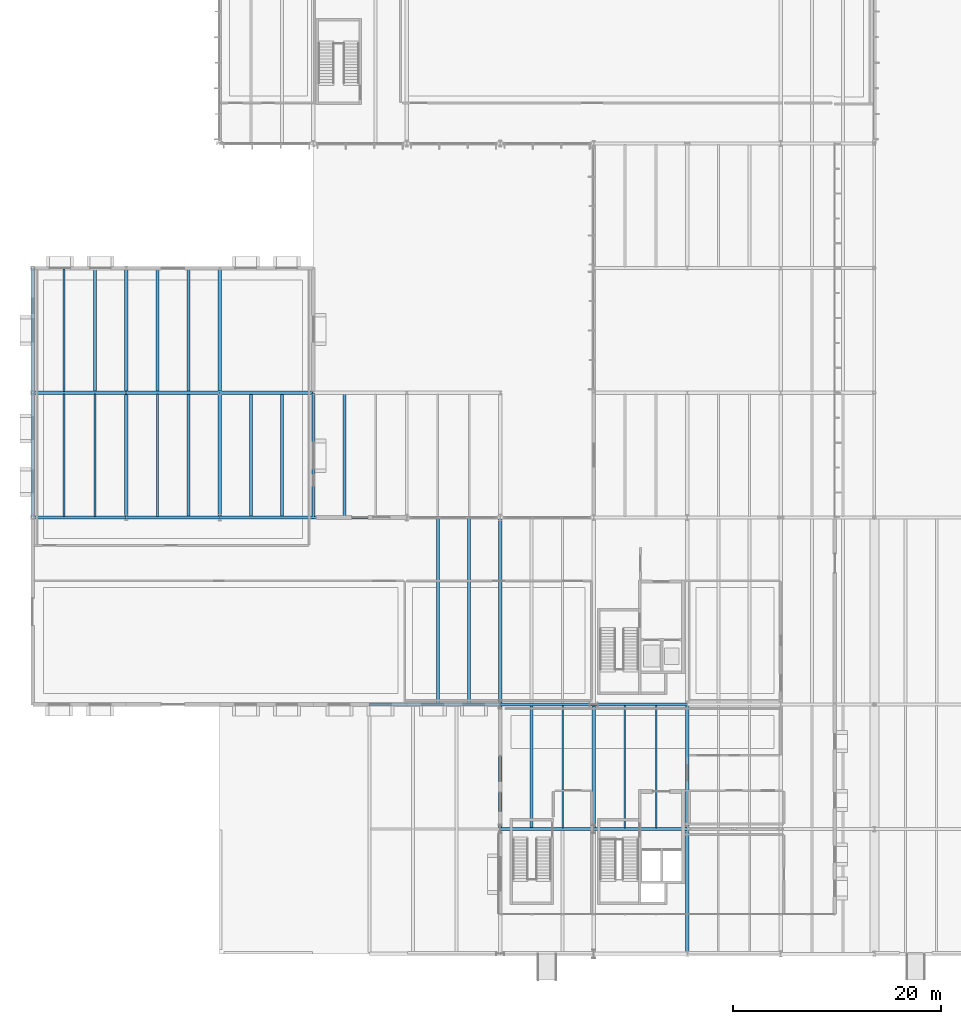
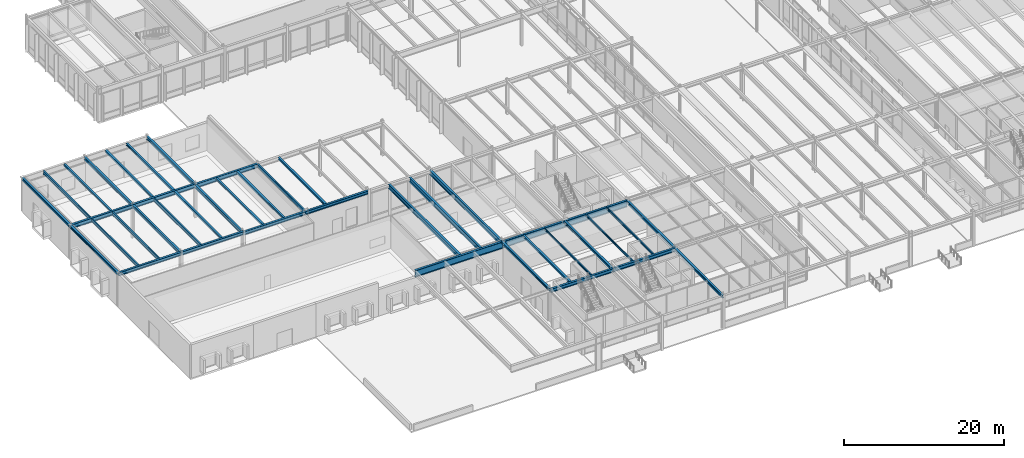
# One storey, part 24 of 143: 41 beams.
"""IFC4 building model written with IfcOpenShell, lengths in metres."""

from ifc_helpers import new_model, si_unit, direction, frame, origin, origin_2d, place, context, subcontext, project, spatial, i_section, extrude, material, material_profile, profile_set, type_object, element, save


model = new_model("IFC4")

# Units and contexts
model_context = context("Model", 3, precision=1e-05, world=origin(), true_north=direction((0.0, 1.0)))
body_context = subcontext(model_context, "Body", "Model", "MODEL_VIEW")
ifc_project = project(units=[si_unit("LENGTHUNIT", "METRE"), si_unit("AREAUNIT", "SQUARE_METRE"), si_unit("VOLUMEUNIT", "CUBIC_METRE"), si_unit("PLANEANGLEUNIT", "RADIAN"), si_unit("MASSUNIT", "GRAM", prefix="KILO")], contexts=[model_context])

# Site, building, storey
site_placement = place(None, origin())
site = spatial("IfcSite", under=ifc_project, at=site_placement, CompositionType="ELEMENT")
building_placement = place(site_placement, origin())
building = spatial("IfcBuilding", under=site, at=building_placement, Name="Montelvaro Courts of Justice", CompositionType="ELEMENT")
storey_placement = place(building_placement, origin())
storey = spatial("IfcBuildingStorey", under=building, at=storey_placement, Name="L00", CompositionType="ELEMENT", Elevation=0.0)

# Beams
ifc_material = material(Name="Steel S355", Category="steel")
ifc_material_profile_1 = material_profile(ifc_material, i_section(OverallWidth=0.280029296875, OverallDepth=0.27001953125, WebThickness=0.008056640625, FlangeThickness=0.012939453125, at=origin_2d()), Name="HEA 280")
ifc_profile_set_1 = profile_set([ifc_material_profile_1], Name="Steel S355")
beam_type_1 = type_object("IfcBeamType", Name="Beam_HEA280", PredefinedType="BEAM", material=ifc_profile_set_1)
for number, where, z_axis, x_axis, name in (
    (1, (6.0, 54.110107421875, 5.014892578125), (0.0, 1.0, 0.0), (-1.0, 0.0, 0.0), "Beam B-14 L00"),
    (2, (15.0, 42.110107421875, 5.014892578125), (0.0, 1.0, 0.0), (-1.0, 0.0, 0.0), "Beam B-14 L00"),
    (3, (12.0, 54.110107421875, 5.014892578125), (0.0, 1.0, 0.0), (-1.0, 0.0, 0.0), "Beam B-14 L00"),
    (4, (21.0, 42.110107421875, 4.925048828125), (0.0, 1.0, 0.0), (-1.0, 0.0, 0.0), "Beam B-14 L00"),
):
    element("IfcBeam", number, at=place(storey_placement, frame(where, z_axis=z_axis, x_axis=x_axis)), inside=storey, type_object=beam_type_1, Name=name, PredefinedType="BEAM", context=body_context, shape_type="SweptSolid", body=[
        extrude(i_section(OverallWidth=0.280029296875, OverallDepth=0.27001953125, WebThickness=0.008056640625, FlangeThickness=0.012939453125, at=origin_2d()), origin(), (0.0, 0.0, 1.0), 11.77978515625),
    ])
ifc_material_profile_2 = material_profile(ifc_material, i_section(OverallWidth=0.300048828125, OverallDepth=0.31005859375, WebThickness=0.009033203125, FlangeThickness=0.015380859375, at=origin_2d()), Name="HEA 320")
ifc_profile_set_2 = profile_set([ifc_material_profile_2], Name="Steel S355")
beam_type_2 = type_object("IfcBeamType", Name="Beam_HEA320", PredefinedType="BEAM", material=ifc_profile_set_2)
for number, where, z_axis, x_axis, name in (
    (5, (15.0, 54.110107421875, 4.9951171875), (0.0, 1.0, 0.0), (-1.0, 0.0, 0.0), "Beam B-15 L00"),
    (6, (24.0, 42.110107421875, 4.905029296875), (0.0, 1.0, 0.0), (-1.0, 0.0, 0.0), "Beam B-15 L00"),
    (7, (30.0, 42.110107421875, 4.905029296875), (0.0, 1.0, 0.0), (-1.0, 0.0, 0.0), "Beam B-15 L00"),
    (8, (48.0, 12.110107421875, 4.925048828125), (0.0, 1.0, 0.0), (-1.0, 0.0, 0.0), "Beam B-15 L00"),
):
    element("IfcBeam", number, at=place(storey_placement, frame(where, z_axis=z_axis, x_axis=x_axis)), inside=storey, type_object=beam_type_2, Name=name, PredefinedType="BEAM", context=body_context, shape_type="SweptSolid", body=[
        extrude(i_section(OverallWidth=0.300048828125, OverallDepth=0.31005859375, WebThickness=0.009033203125, FlangeThickness=0.015380859375, at=origin_2d()), origin(), (0.0, 0.0, 1.0), 11.77978515625),
    ])
ifc_material_profile_3 = material_profile(ifc_material, i_section(OverallWidth=0.300048828125, OverallDepth=0.35009765625, WebThickness=0.010009765625, FlangeThickness=0.017578125, at=origin_2d()), Name="HEA 360")
ifc_profile_set_3 = profile_set([ifc_material_profile_3], Name="Steel S355")
beam_type_3 = type_object("IfcBeamType", Name="Beam_HEA360", PredefinedType="USERDEFINED", material=ifc_profile_set_3)
beam_1_placement = place(storey_placement, frame((45.0, 12.0, 4.905029296875), z_axis=(0.0, 1.0, 0.0), x_axis=(-1.0, 0.0, 0.0)))
element("IfcBeam", 9, at=beam_1_placement, inside=storey, type_object=beam_type_3, Name="Beam B-16 L00", ObjectType="GIRDER", PredefinedType="USERDEFINED", context=body_context, shape_type="SweptSolid", body=[
    extrude(i_section(OverallWidth=0.300048828125, OverallDepth=0.35009765625, WebThickness=0.010009765625, FlangeThickness=0.017578125, at=origin_2d()), origin(), (0.0, 0.0, 1.0), 12.0),
])
ifc_material_profile_4 = material_profile(ifc_material, i_section(OverallWidth=0.300048828125, OverallDepth=0.389892578125, WebThickness=0.010986328125, FlangeThickness=0.01904296875, at=origin_2d()), Name="HEA 400")
ifc_profile_set_4 = profile_set([ifc_material_profile_4], Name="Steel S355")
beam_type_4 = type_object("IfcBeamType", Name="Beam_HEA400", PredefinedType="USERDEFINED", material=ifc_profile_set_4)
for number, where, z_axis, x_axis, name in (
    (10, (0.0, 42.0, 4.955078125), (0.0, 1.0, 0.0), (-1.0, 0.0, 0.0), "Beam B-17 L00"),
    (11, (0.0, 54.0, 4.955078125), (0.0, 1.0, 0.0), (-1.0, 0.0, 0.0), "Beam B-17 L00"),
    (12, (54.0, 12.0, 4.885009765625), (0.0, 1.0, 0.0), (-1.0, 0.0, 0.0), "Beam B-17 L00"),
):
    element("IfcBeam", number, at=place(storey_placement, frame(where, z_axis=z_axis, x_axis=x_axis)), inside=storey, type_object=beam_type_4, Name=name, ObjectType="GIRDER", PredefinedType="USERDEFINED", context=body_context, shape_type="SweptSolid", body=[
        extrude(i_section(OverallWidth=0.300048828125, OverallDepth=0.389892578125, WebThickness=0.010986328125, FlangeThickness=0.01904296875, at=origin_2d()), origin(), (0.0, 0.0, 1.0), 12.0),
    ])
ifc_material_profile_5 = material_profile(ifc_material, i_section(OverallWidth=0.300048828125, OverallDepth=0.43994140625, WebThickness=0.011474609375, FlangeThickness=0.02099609375, at=origin_2d()), Name="HEA 450")
ifc_profile_set_5 = profile_set([ifc_material_profile_5], Name="Steel S355")
beam_type_5 = type_object("IfcBeamType", Name="Beam_HEA450", PredefinedType="USERDEFINED", material=ifc_profile_set_5)
for number, where, z_axis, x_axis, name in (
    (13, (9.0, 42.0, 4.929931640625), (0.0, 1.0, 0.0), (-1.0, 0.0, 0.0), "Beam B-18 L00"),
    (14, (9.0, 54.0, 4.929931640625), (0.0, 1.0, 0.0), (-1.0, 0.0, 0.0), "Beam B-18 L00"),
    (15, (63.0, 0.0, 4.860107421875), (0.0, 1.0, 0.0), (-1.0, 0.0, 0.0), "Beam B-18 L00"),
    (16, (63.0, 12.0, 4.860107421875), (0.0, 1.0, 0.0), (-1.0, 0.0, 0.0), "Beam B-18 L00"),
):
    element("IfcBeam", number, at=place(storey_placement, frame(where, z_axis=z_axis, x_axis=x_axis)), inside=storey, type_object=beam_type_5, Name=name, ObjectType="GIRDER", PredefinedType="USERDEFINED", context=body_context, shape_type="SweptSolid", body=[
        extrude(i_section(OverallWidth=0.300048828125, OverallDepth=0.43994140625, WebThickness=0.011474609375, FlangeThickness=0.02099609375, at=origin_2d()), origin(), (0.0, 0.0, 1.0), 12.0),
    ])
ifc_material_profile_6 = material_profile(ifc_material, i_section(OverallWidth=0.300048828125, OverallDepth=0.489990234375, WebThickness=0.011962890625, FlangeThickness=0.02294921875, at=origin_2d()), Name="HEA 500")
ifc_profile_set_6 = profile_set([ifc_material_profile_6], Name="Steel S355")
beam_type_6 = type_object("IfcBeamType", Name="Beam_HEA500", PredefinedType="USERDEFINED", material=ifc_profile_set_6)
for number, where, z_axis, x_axis, name in (
    (17, (18.0, 42.0, 4.81494140625), (0.0, 1.0, 0.0), (-1.0, 0.0, 0.0), "Beam B-19 L00"),
    (18, (18.0, 54.0, 4.905029296875), (0.0, 1.0, 0.0), (-1.0, 0.0, 0.0), "Beam B-19 L00"),
):
    element("IfcBeam", number, at=place(storey_placement, frame(where, z_axis=z_axis, x_axis=x_axis)), inside=storey, type_object=beam_type_6, Name=name, ObjectType="GIRDER", PredefinedType="USERDEFINED", context=body_context, shape_type="SweptSolid", body=[
        extrude(i_section(OverallWidth=0.300048828125, OverallDepth=0.489990234375, WebThickness=0.011962890625, FlangeThickness=0.02294921875, at=origin_2d()), origin(), (0.0, 0.0, 1.0), 12.0),
    ])
ifc_material_profile_7 = material_profile(ifc_material, i_section(OverallWidth=0.300048828125, OverallDepth=0.5400390625, WebThickness=0.012451171875, FlangeThickness=0.02392578125, at=origin_2d()), Name="HEA 550")
ifc_profile_set_7 = profile_set([ifc_material_profile_7], Name="Steel S355")
beam_type_7 = type_object("IfcBeamType", Name="Beam_HEA550", PredefinedType="USERDEFINED", material=ifc_profile_set_7)
for number, where, z_axis, x_axis, name in (
    (19, (45.0, 12.0, 4.81005859375), (1.0, 0.0, 0.0), (0.0, 1.0, 0.0), "Beam B-20 L00"),
    (20, (54.0, 12.0, 4.81005859375), (1.0, 0.0, 0.0), (0.0, 1.0, 0.0), "Beam B-20 L00"),
):
    element("IfcBeam", number, at=place(storey_placement, frame(where, z_axis=z_axis, x_axis=x_axis)), inside=storey, type_object=beam_type_7, Name=name, ObjectType="GIRDER", PredefinedType="USERDEFINED", context=body_context, shape_type="SweptSolid", body=[
        extrude(i_section(OverallWidth=0.300048828125, OverallDepth=0.5400390625, WebThickness=0.012451171875, FlangeThickness=0.02392578125, at=origin_2d()), origin(), (0.0, 0.0, 1.0), 9.0),
    ])
ifc_material_profile_8 = material_profile(ifc_material, i_section(OverallWidth=0.300048828125, OverallDepth=0.639892578125, WebThickness=0.013427734375, FlangeThickness=0.02587890625, at=origin_2d()), Name="HEA 650")
ifc_profile_set_8 = profile_set([ifc_material_profile_8], Name="Steel S355")
beam_type_8 = type_object("IfcBeamType", Name="Beam_HEA650", PredefinedType="USERDEFINED", material=ifc_profile_set_8)
beam_2_placement = place(storey_placement, frame((39.0, 24.110107421875, 4.739990234375), z_axis=(0.0, 1.0, 0.0), x_axis=(-1.0, 0.0, 0.0)))
element("IfcBeam", 21, at=beam_2_placement, inside=storey, type_object=beam_type_8, Name="Beam B-22 L00", ObjectType="GIRDER", PredefinedType="USERDEFINED", context=body_context, shape_type="SweptSolid", body=[
    extrude(i_section(OverallWidth=0.300048828125, OverallDepth=0.639892578125, WebThickness=0.013427734375, FlangeThickness=0.02587890625, at=origin_2d()), origin(), (0.0, 0.0, 1.0), 17.77978515625),
])
ifc_material_profile_9 = material_profile(ifc_material, i_section(OverallWidth=0.300048828125, OverallDepth=0.68994140625, WebThickness=0.014404296875, FlangeThickness=0.027099609375, at=origin_2d()), Name="HEA 700")
ifc_profile_set_9 = profile_set([ifc_material_profile_9], Name="Steel S355")
beam_type_9 = type_object("IfcBeamType", Name="Beam_HEA700", PredefinedType="USERDEFINED", material=ifc_profile_set_9)
beam_3_placement = place(storey_placement, frame((42.0, 24.110107421875, 4.715087890625), z_axis=(0.0, 1.0, 0.0), x_axis=(-1.0, 0.0, 0.0)))
element("IfcBeam", 22, at=beam_3_placement, inside=storey, type_object=beam_type_9, Name="Beam B-23 L00", ObjectType="GIRDER", PredefinedType="USERDEFINED", context=body_context, shape_type="SweptSolid", body=[
    extrude(i_section(OverallWidth=0.300048828125, OverallDepth=0.68994140625, WebThickness=0.014404296875, FlangeThickness=0.027099609375, at=origin_2d()), origin(), (0.0, 0.0, 1.0), 17.77978515625),
])
ifc_material_profile_10 = material_profile(ifc_material, i_section(OverallWidth=0.300048828125, OverallDepth=0.5, WebThickness=0.014404296875, FlangeThickness=0.028076171875, at=origin_2d()), Name="HEB 500")
ifc_profile_set_10 = profile_set([ifc_material_profile_10], Name="Steel S355")
beam_type_10 = type_object("IfcBeamType", Name="Beam_HEB500", PredefinedType="USERDEFINED", material=ifc_profile_set_10)
for number, where, z_axis, x_axis, name in (
    (23, (0.0, 42.0, 4.89990234375), (1.0, 0.0, 0.0), (0.0, 1.0, 0.0), "Beam B-25 L00"),
    (24, (9.0, 42.0, 4.89990234375), (1.0, 0.0, 0.0), (0.0, 1.0, 0.0), "Beam B-25 L00"),
    (25, (18.0, 42.0, 4.81005859375), (1.0, 0.0, 0.0), (0.0, 1.0, 0.0), "Beam B-25 L00"),
    (26, (27.0, 42.0, 4.81005859375), (1.0, 0.0, 0.0), (0.0, 1.0, 0.0), "Beam B-25 L00"),
):
    element("IfcBeam", number, at=place(storey_placement, frame(where, z_axis=z_axis, x_axis=x_axis)), inside=storey, type_object=beam_type_10, Name=name, ObjectType="GIRDER", PredefinedType="USERDEFINED", context=body_context, shape_type="SweptSolid", body=[
        extrude(i_section(OverallWidth=0.300048828125, OverallDepth=0.5, WebThickness=0.014404296875, FlangeThickness=0.028076171875, at=origin_2d()), origin(), (0.0, 0.0, 1.0), 9.0),
    ])
ifc_material_profile_11 = material_profile(ifc_material, i_section(OverallWidth=0.300048828125, OverallDepth=0.60009765625, WebThickness=0.015380859375, FlangeThickness=0.030029296875, at=origin_2d()), Name="HEB 600")
ifc_profile_set_11 = profile_set([ifc_material_profile_11], Name="Steel S355")
beam_type_11 = type_object("IfcBeamType", Name="Beam_HEB600", PredefinedType="USERDEFINED", material=ifc_profile_set_11)
for number, where, z_axis, x_axis, name in (
    (27, (0.0, 54.0, 4.85009765625), (1.0, 0.0, 0.0), (0.0, 1.0, 0.0), "Beam B-26 L00"),
    (28, (9.0, 54.0, 4.85009765625), (1.0, 0.0, 0.0), (0.0, 1.0, 0.0), "Beam B-26 L00"),
    (29, (18.0, 54.0, 4.760009765625), (1.0, 0.0, 0.0), (0.0, 1.0, 0.0), "Beam B-26 L00"),
):
    element("IfcBeam", number, at=place(storey_placement, frame(where, z_axis=z_axis, x_axis=x_axis)), inside=storey, type_object=beam_type_11, Name=name, ObjectType="GIRDER", PredefinedType="USERDEFINED", context=body_context, shape_type="SweptSolid", body=[
        extrude(i_section(OverallWidth=0.300048828125, OverallDepth=0.60009765625, WebThickness=0.015380859375, FlangeThickness=0.030029296875, at=origin_2d()), origin(), (0.0, 0.0, 1.0), 9.0),
    ])
ifc_material_profile_12 = material_profile(ifc_material, i_section(OverallWidth=0.300048828125, OverallDepth=0.699951171875, WebThickness=0.01708984375, FlangeThickness=0.031982421875, at=origin_2d()), Name="HEB 700")
ifc_profile_set_12 = profile_set([ifc_material_profile_12], Name="Steel S355")
beam_type_12 = type_object("IfcBeamType", Name="Beam_HEB700", PredefinedType="USERDEFINED", material=ifc_profile_set_12)
beam_4_placement = place(storey_placement, frame((45.0, 24.0, 4.7099609375), z_axis=(0.0, 1.0, 0.0), x_axis=(-1.0, 0.0, 0.0)))
element("IfcBeam", 30, at=beam_4_placement, inside=storey, type_object=beam_type_12, Name="Beam B-28 L00", ObjectType="GIRDER", PredefinedType="USERDEFINED", context=body_context, shape_type="SweptSolid", body=[
    extrude(i_section(OverallWidth=0.300048828125, OverallDepth=0.699951171875, WebThickness=0.01708984375, FlangeThickness=0.031982421875, at=origin_2d()), origin(), (0.0, 0.0, 1.0), 18.0),
])
ifc_material_profile_13 = material_profile(ifc_material, i_section(OverallWidth=0.302001953125, OverallDepth=1.008056640625, WebThickness=0.02099609375, FlangeThickness=0.0400390625, at=origin_2d()), Name="HEM 1000")
ifc_profile_set_13 = profile_set([ifc_material_profile_13], Name="Steel S355")
beam_type_13 = type_object("IfcBeamType", Name="Beam_HEM1000", PredefinedType="USERDEFINED", material=ifc_profile_set_13)
for number, where, z_axis, x_axis, name in (
    (31, (63.0, 24.0, 4.555908203125), (-1.0, 0.0, 0.0), (0.0, -1.0, 0.0), "Pratt Cantilever Truss Chord CTR-BAR1-N-L01-BS2"),
    (32, (54.0, 24.0, 4.555908203125), (-1.0, 0.0, 0.0), (0.0, -1.0, 0.0), "Pratt Cantilever Truss Chord CTR-BAR1-N-L01-BS3"),
):
    element("IfcBeam", number, at=place(storey_placement, frame(where, z_axis=z_axis, x_axis=x_axis)), inside=storey, type_object=beam_type_13, Name=name, ObjectType="GIRDER", PredefinedType="USERDEFINED", context=body_context, shape_type="SweptSolid", body=[
        extrude(i_section(OverallWidth=0.302001953125, OverallDepth=1.008056640625, WebThickness=0.02099609375, FlangeThickness=0.0400390625, at=origin_2d()), origin(), (0.0, 0.0, 1.0), 9.0),
    ])
beam_5_placement = place(storey_placement, frame((45.0, 24.0, 4.555908203125), z_axis=(-1.0, 0.0, 0.0), x_axis=(0.0, -1.0, 0.0)))
element("IfcBeam", 33, at=beam_5_placement, inside=storey, type_object=beam_type_13, Name="Pratt Cantilever Truss Chord CTR-BAR1-N-L01-OVH", ObjectType="GIRDER", PredefinedType="USERDEFINED", context=body_context, shape_type="SweptSolid", body=[
    extrude(i_section(OverallWidth=0.302001953125, OverallDepth=1.008056640625, WebThickness=0.02099609375, FlangeThickness=0.0400390625, at=origin_2d()), origin(), (0.0, 0.0, 1.0), 12.60009765625),
])
ifc_material_profile_14 = material_profile(ifc_material, i_section(OverallWidth=0.14990234375, OverallDepth=0.300048828125, WebThickness=0.007080078125, FlangeThickness=0.0107421875, at=origin_2d()), Name="IPE 300")
ifc_profile_set_14 = profile_set([ifc_material_profile_14], Name="Steel S355")
beam_type_14 = type_object("IfcBeamType", Name="Beam_IPE300", PredefinedType="BEAM", material=ifc_profile_set_14)
for number, where, z_axis, x_axis, name in (
    (34, (51.0, 12.110107421875, 4.929931640625), (0.0, 1.0, 0.0), (-1.0, 0.0, 0.0), "Beam B-05 L00"),
    (35, (57.0, 12.110107421875, 4.929931640625), (0.0, 1.0, 0.0), (-1.0, 0.0, 0.0), "Beam B-05 L00"),
):
    element("IfcBeam", number, at=place(storey_placement, frame(where, z_axis=z_axis, x_axis=x_axis)), inside=storey, type_object=beam_type_14, Name=name, PredefinedType="BEAM", context=body_context, shape_type="SweptSolid", body=[
        extrude(i_section(OverallWidth=0.14990234375, OverallDepth=0.300048828125, WebThickness=0.007080078125, FlangeThickness=0.0107421875, at=origin_2d()), origin(), (0.0, 0.0, 1.0), 11.77978515625),
    ])
ifc_material_profile_15 = material_profile(ifc_material, i_section(OverallWidth=0.159912109375, OverallDepth=0.330078125, WebThickness=0.007568359375, FlangeThickness=0.011474609375, at=origin_2d()), Name="IPE 330")
ifc_profile_set_15 = profile_set([ifc_material_profile_15], Name="Steel S355")
beam_type_15 = type_object("IfcBeamType", Name="Beam_IPE330", PredefinedType="BEAM", material=ifc_profile_set_15)
beam_6_placement = place(storey_placement, frame((60.0, 12.110107421875, 4.9150390625), z_axis=(0.0, 1.0, 0.0), x_axis=(-1.0, 0.0, 0.0)))
element("IfcBeam", 36, at=beam_6_placement, inside=storey, type_object=beam_type_15, Name="Beam B-06 L00", PredefinedType="BEAM", context=body_context, shape_type="SweptSolid", body=[
    extrude(i_section(OverallWidth=0.159912109375, OverallDepth=0.330078125, WebThickness=0.007568359375, FlangeThickness=0.011474609375, at=origin_2d()), origin(), (0.0, 0.0, 1.0), 11.77978515625),
])
ifc_material_profile_16 = material_profile(ifc_material, i_section(OverallWidth=0.18994140625, OverallDepth=0.449951171875, WebThickness=0.009521484375, FlangeThickness=0.0146484375, at=origin_2d()), Name="IPE 450")
ifc_profile_set_16 = profile_set([ifc_material_profile_16], Name="Steel S355")
beam_type_16 = type_object("IfcBeamType", Name="Beam_IPE450", PredefinedType="BEAM", material=ifc_profile_set_16)
beam_7_placement = place(storey_placement, frame((3.0, 42.110107421875, 4.925048828125), z_axis=(0.0, 1.0, 0.0), x_axis=(-1.0, 0.0, 0.0)))
element("IfcBeam", 37, at=beam_7_placement, inside=storey, type_object=beam_type_16, Name="Beam B-09 L00", PredefinedType="BEAM", context=body_context, shape_type="SweptSolid", body=[
    extrude(i_section(OverallWidth=0.18994140625, OverallDepth=0.449951171875, WebThickness=0.009521484375, FlangeThickness=0.0146484375, at=origin_2d()), origin(), (0.0, 0.0, 1.0), 11.77978515625),
])
ifc_material_profile_17 = material_profile(ifc_material, i_section(OverallWidth=0.199951171875, OverallDepth=0.5, WebThickness=0.01025390625, FlangeThickness=0.01611328125, at=origin_2d()), Name="IPE 500")
ifc_profile_set_17 = profile_set([ifc_material_profile_17], Name="Steel S355")
beam_type_17 = type_object("IfcBeamType", Name="Beam_IPE500", PredefinedType="BEAM", material=ifc_profile_set_17)
for number, where, z_axis, x_axis, name in (
    (38, (6.0, 42.110107421875, 4.89990234375), (0.0, 1.0, 0.0), (-1.0, 0.0, 0.0), "Beam B-10 L00"),
    (39, (3.0, 54.110107421875, 4.89990234375), (0.0, 1.0, 0.0), (-1.0, 0.0, 0.0), "Beam B-10 L00"),
    (40, (12.0, 42.110107421875, 4.89990234375), (0.0, 1.0, 0.0), (-1.0, 0.0, 0.0), "Beam B-10 L00"),
):
    element("IfcBeam", number, at=place(storey_placement, frame(where, z_axis=z_axis, x_axis=x_axis)), inside=storey, type_object=beam_type_17, Name=name, PredefinedType="BEAM", context=body_context, shape_type="SweptSolid", body=[
        extrude(i_section(OverallWidth=0.199951171875, OverallDepth=0.5, WebThickness=0.01025390625, FlangeThickness=0.01611328125, at=origin_2d()), origin(), (0.0, 0.0, 1.0), 11.77978515625),
    ])
ifc_material_profile_18 = material_profile(ifc_material, i_section(OverallWidth=0.2099609375, OverallDepth=0.550048828125, WebThickness=0.010986328125, FlangeThickness=0.01708984375, at=origin_2d()), Name="IPE 550")
ifc_profile_set_18 = profile_set([ifc_material_profile_18], Name="Steel S355")
beam_type_18 = type_object("IfcBeamType", Name="Beam_IPE550", PredefinedType="BEAM", material=ifc_profile_set_18)
beam_8_placement = place(storey_placement, frame((27.0, 42.0, 4.784912109375), z_axis=(0.0, 1.0, 0.0), x_axis=(-1.0, 0.0, 0.0)))
element("IfcBeam", 41, at=beam_8_placement, inside=storey, type_object=beam_type_18, Name="Beam B-11 L00", PredefinedType="BEAM", context=body_context, shape_type="SweptSolid", body=[
    extrude(i_section(OverallWidth=0.2099609375, OverallDepth=0.550048828125, WebThickness=0.010986328125, FlangeThickness=0.01708984375, at=origin_2d()), origin(), (0.0, 0.0, 1.0), 12.0),
])

save(model, "model.ifc")
